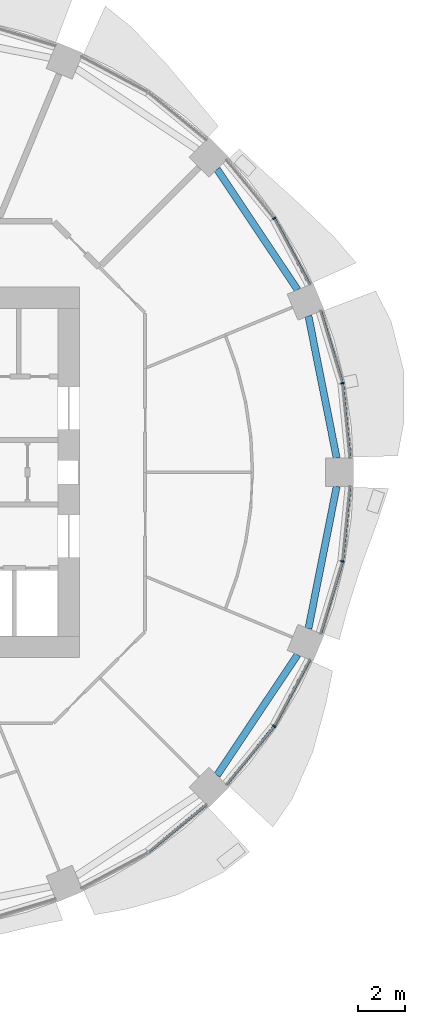
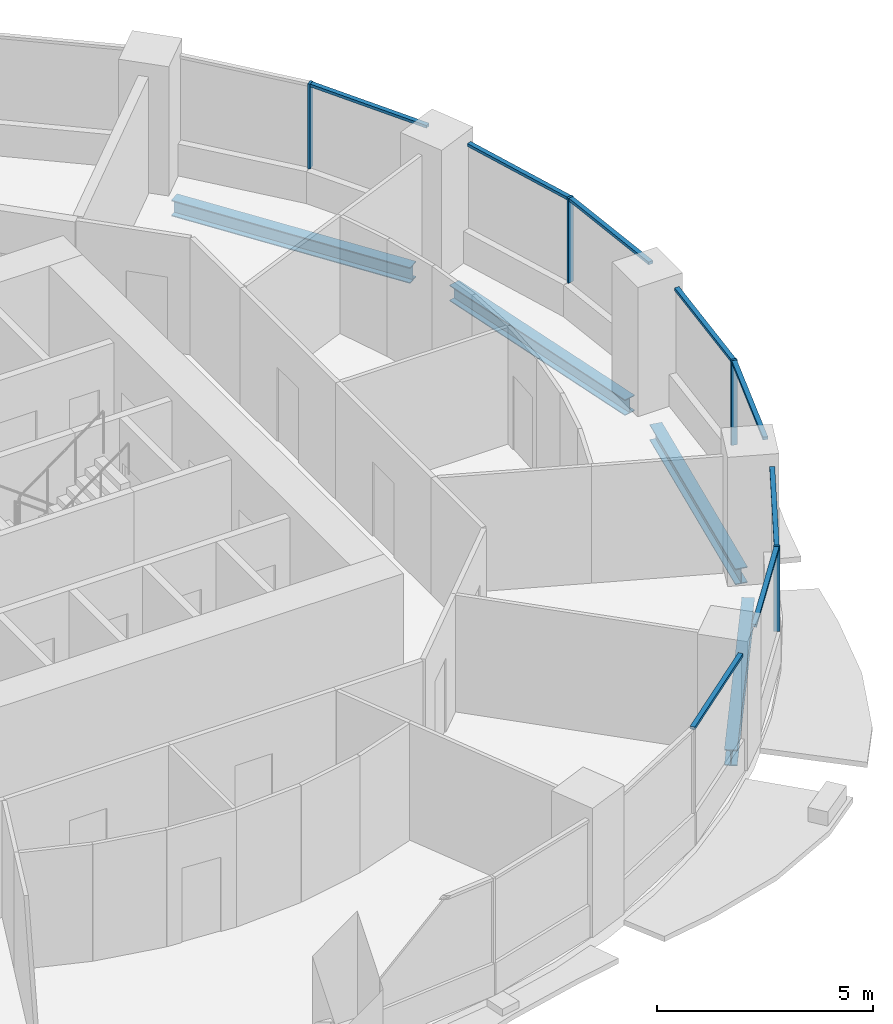
# One storey, part 5 of 15: 12 members, 4 beams, 5 elements without a shape of their own.
"""IFC4 building model written with IfcOpenShell, lengths in metres."""

from ifc_helpers import new_model, si_unit, direction, frame, origin, origin_2d, place, context, subcontext, project, spatial, rectangle, i_section, extrude, material, material_profile, profile_set, type_object, element, aggregate, save


model = new_model("IFC4")

# Units and contexts
model_context = context("Model", 3, precision=1e-05, world=origin(), true_north=direction((0.0, 1.0)))
body_context = subcontext(model_context, "Body", "Model", "MODEL_VIEW")
ifc_project = project(units=[si_unit("LENGTHUNIT", "METRE"), si_unit("AREAUNIT", "SQUARE_METRE"), si_unit("VOLUMEUNIT", "CUBIC_METRE"), si_unit("PLANEANGLEUNIT", "RADIAN"), si_unit("MASSUNIT", "GRAM", prefix="KILO")], contexts=[model_context])

# Site, building, storey
site_placement = place(None, origin())
site = spatial("IfcSite", under=ifc_project, at=site_placement, CompositionType="ELEMENT")
building_placement = place(site_placement, origin())
building = spatial("IfcBuilding", under=site, at=building_placement, Name="Polderwave Tower", CompositionType="ELEMENT")
storey_placement = place(building_placement, frame((0.0, 0.0, 62.699951171875)))
storey = spatial("IfcBuildingStorey", under=building, at=storey_placement, Name="L16", CompositionType="ELEMENT", Elevation=62.699951171875)

# Curtain wall, member
ifc_material_1 = material(Name="Aluminium 6063-T6 and glass", Category="aluminium")
curtain_wall_type = type_object("IfcCurtainWallType", Name="Growing floor ribbon glazing wall", PredefinedType="NOTDEFINED", material=ifc_material_1)
curtain_wall_1_placement = place(storey_placement, origin())
curtain_wall_1 = element("IfcCurtainWall", 1, at=curtain_wall_1_placement, inside=storey, type_object=curtain_wall_type, Name="CW2 L16 00", PredefinedType="NOTDEFINED")
ifc_material_2 = material(Name="Aluminium 6063-T6", Category="aluminium")
ifc_material_profile_1 = material_profile(ifc_material_2, rectangle(XDim=0.14990234375, YDim=0.06005859375, at=origin_2d()), Name="AL 60x150")
ifc_profile_set_1 = profile_set([ifc_material_profile_1], Name="Aluminium 6063-T6")
member_type_1 = type_object("IfcMemberType", Name="Growing floor ribbon glazing mullion 60x150", PredefinedType="MULLION", material=ifc_profile_set_1)
member_1_placement = place(storey_placement, frame((19.06591796875, 3.79296875, 0.900146484375), z_axis=(0.0, 0.0, 1.0), x_axis=(-0.980768933113, -0.195172487407, 0.0)))
member_1 = element("IfcMember", 2, at=member_1_placement, type_object=member_type_1, Name="CW2 mullion 1", PredefinedType="MULLION", context=body_context, shape_type="SweptSolid", body=[
    extrude(rectangle(XDim=0.14990234375, YDim=0.06005859375, at=origin_2d()), origin(), (0.0, 0.0, 1.0), 2.39990234375),
])

curtain_wall_2_placement = place(storey_placement, origin())
curtain_wall_2 = element("IfcCurtainWall", 3, at=curtain_wall_2_placement, inside=storey, type_object=curtain_wall_type, Name="CW2 L16 01", PredefinedType="NOTDEFINED")
member_2_placement = place(storey_placement, frame((16.1640625, 10.800048828125, 0.900146484375), z_axis=(0.0, 0.0, 1.0), x_axis=(-0.831498700752, -0.555526696611, 0.0)))
member_2 = element("IfcMember", 4, at=member_2_placement, type_object=member_type_1, Name="CW2 mullion 1", PredefinedType="MULLION", context=body_context, shape_type="SweptSolid", body=[
    extrude(rectangle(XDim=0.14990234375, YDim=0.06005859375, at=origin_2d()), origin(), (0.0, 0.0, 1.0), 2.39990234375),
])

curtain_wall_3_placement = place(storey_placement, origin())
curtain_wall_3 = element("IfcCurtainWall", 5, at=curtain_wall_3_placement, inside=storey, type_object=curtain_wall_type, Name="CW2 L16 14", PredefinedType="NOTDEFINED")
member_3_placement = place(storey_placement, frame((16.1640625, -10.800048828125, 0.900146484375), z_axis=(0.0, 0.0, 1.0), x_axis=(-0.831498700752, 0.555526696611, 0.0)))
member_3 = element("IfcMember", 6, at=member_3_placement, type_object=member_type_1, Name="CW2 mullion 1", PredefinedType="MULLION", context=body_context, shape_type="SweptSolid", body=[
    extrude(rectangle(XDim=0.14990234375, YDim=0.06005859375, at=origin_2d()), origin(), (0.0, 0.0, 1.0), 2.39990234375),
])

curtain_wall_4_placement = place(storey_placement, origin())
curtain_wall_4 = element("IfcCurtainWall", 7, at=curtain_wall_4_placement, inside=storey, type_object=curtain_wall_type, Name="CW2 L16 15", PredefinedType="NOTDEFINED")
member_4_placement = place(storey_placement, frame((19.06591796875, -3.79296875, 0.900146484375), z_axis=(0.0, 0.0, 1.0), x_axis=(-0.980768933113, 0.195172487407, 0.0)))
member_4 = element("IfcMember", 8, at=member_4_placement, type_object=member_type_1, Name="CW2 mullion 1", PredefinedType="MULLION", context=body_context, shape_type="SweptSolid", body=[
    extrude(rectangle(XDim=0.14990234375, YDim=0.06005859375, at=origin_2d()), origin(), (0.0, 0.0, 1.0), 2.39990234375),
])

# Member
ifc_material_profile_2 = material_profile(ifc_material_2, rectangle(XDim=0.1201171875, YDim=0.080078125, at=origin_2d()), Name="AL 80x120")
ifc_profile_set_2 = profile_set([ifc_material_profile_2], Name="Aluminium 6063-T6")
member_type_2 = type_object("IfcMemberType", Name="Growing floor ribbon glazing transom 80x120", PredefinedType="USERDEFINED", material=ifc_profile_set_2)
member_5_placement = place(storey_placement, frame((19.381103515625, 0.60009765625, 3.260009765625), z_axis=(-0.098241201585, 0.995162633096, 0.0), x_axis=(-0.995162633096, -0.098241201585, 0.0)))
member_5 = element("IfcMember", 9, at=member_5_placement, type_object=member_type_2, Name="CW2 transom 1", ObjectType="TRANSOM", PredefinedType="USERDEFINED", context=body_context, shape_type="SweptSolid", body=[
    extrude(rectangle(XDim=0.1201171875, YDim=0.080078125, at=origin_2d()), origin(), (0.0, 0.0, 1.0), 3.178466796875),
])

member_6_placement = place(storey_placement, frame((19.057373046875, 3.82177734375, 3.260009765625), z_axis=(-0.290314495574, 0.956931289937, 0.0), x_axis=(-0.956931289937, -0.290314495574, 0.0)))
member_6 = element("IfcMember", 10, at=member_6_placement, type_object=member_type_2, Name="CW2 transom 2", ObjectType="TRANSOM", PredefinedType="USERDEFINED", context=body_context, shape_type="SweptSolid", body=[
    extrude(rectangle(XDim=0.1201171875, YDim=0.080078125, at=origin_2d()), origin(), (0.0, 0.0, 1.0), 3.177001953125),
])

aggregate(curtain_wall_1, [member_1, member_5, member_6])

member_7_placement = place(storey_placement, frame((17.676025390625, 7.970947265625, 3.260009765625), z_axis=(-0.471417452258, 0.881910191406, 0.0), x_axis=(-0.881910191406, -0.471417452258, 0.0)))
member_7 = element("IfcMember", 11, at=member_7_placement, type_object=member_type_2, Name="CW2 transom 1", ObjectType="TRANSOM", PredefinedType="USERDEFINED", context=body_context, shape_type="SweptSolid", body=[
    extrude(rectangle(XDim=0.1201171875, YDim=0.080078125, at=origin_2d()), origin(), (0.0, 0.0, 1.0), 3.177734375),
])

aggregate(curtain_wall_2, [member_2, member_7])

# Curtain wall, member
curtain_wall_5_placement = place(storey_placement, origin())
curtain_wall_5 = element("IfcCurtainWall", 12, at=curtain_wall_5_placement, inside=storey, type_object=curtain_wall_type, Name="CW2 L16 13", PredefinedType="NOTDEFINED")
member_8_placement = place(storey_placement, frame((10.8232421875, -16.14501953125, 3.260009765625), z_axis=(0.77302893736, 0.634370760679, 0.0), x_axis=(-0.634370760679, 0.77302893736, 0.0)))
member_8 = element("IfcMember", 13, at=member_8_placement, type_object=member_type_2, Name="CW2 transom 2", ObjectType="TRANSOM", PredefinedType="USERDEFINED", context=body_context, shape_type="SweptSolid", body=[
    extrude(rectangle(XDim=0.1201171875, YDim=0.080078125, at=origin_2d()), origin(), (0.0, 0.0, 1.0), 3.17822265625),
])
aggregate(curtain_wall_5, [member_8])

# Member
member_9_placement = place(storey_placement, frame((14.12890625, -13.280029296875, 3.260009765625), z_axis=(0.634370760679, 0.77302893736, 0.0), x_axis=(-0.77302893736, 0.634370760679, 0.0)))
member_9 = element("IfcMember", 14, at=member_9_placement, type_object=member_type_2, Name="CW2 transom 1", ObjectType="TRANSOM", PredefinedType="USERDEFINED", context=body_context, shape_type="SweptSolid", body=[
    extrude(rectangle(XDim=0.1201171875, YDim=0.080078125, at=origin_2d()), origin(), (0.0, 0.0, 1.0), 3.17822265625),
])

member_10_placement = place(storey_placement, frame((16.177978515625, -10.7734375, 3.260009765625), z_axis=(0.471417452258, 0.881910191406, 0.0), x_axis=(-0.881910191406, 0.471417452258, 0.0)))
member_10 = element("IfcMember", 15, at=member_10_placement, type_object=member_type_2, Name="CW2 transom 2", ObjectType="TRANSOM", PredefinedType="USERDEFINED", context=body_context, shape_type="SweptSolid", body=[
    extrude(rectangle(XDim=0.1201171875, YDim=0.080078125, at=origin_2d()), origin(), (0.0, 0.0, 1.0), 3.177734375),
])

aggregate(curtain_wall_3, [member_3, member_9, member_10])

member_11_placement = place(storey_placement, frame((18.135009765625, -6.862060546875, 3.260009765625), z_axis=(0.290314495574, 0.956931289937, 0.0), x_axis=(-0.956931289937, 0.290314495574, 0.0)))
member_11 = element("IfcMember", 16, at=member_11_placement, type_object=member_type_2, Name="CW2 transom 1", ObjectType="TRANSOM", PredefinedType="USERDEFINED", context=body_context, shape_type="SweptSolid", body=[
    extrude(rectangle(XDim=0.1201171875, YDim=0.080078125, at=origin_2d()), origin(), (0.0, 0.0, 1.0), 3.177001953125),
])

member_12_placement = place(storey_placement, frame((19.06884765625, -3.76318359375, 3.260009765625), z_axis=(0.098241201585, 0.995162633096, 0.0), x_axis=(-0.995162633096, 0.098241201585, 0.0)))
member_12 = element("IfcMember", 17, at=member_12_placement, type_object=member_type_2, Name="CW2 transom 2", ObjectType="TRANSOM", PredefinedType="USERDEFINED", context=body_context, shape_type="SweptSolid", body=[
    extrude(rectangle(XDim=0.1201171875, YDim=0.080078125, at=origin_2d()), origin(), (0.0, 0.0, 1.0), 3.178466796875),
])

aggregate(curtain_wall_4, [member_4, member_11, member_12])

# Beams
ifc_material_3 = material(Name="Steel S355", Category="steel")
ifc_material_profile_3 = material_profile(ifc_material_3, i_section(OverallWidth=0.300048828125, OverallDepth=0.449951171875, WebThickness=0.013916015625, FlangeThickness=0.02587890625, at=origin_2d()), Name="HE 450 B")
ifc_profile_set_3 = profile_set([ifc_material_profile_3], Name="Steel S355")
beam_type = type_object("IfcBeamType", Name="RING BEAM HE 450 B", PredefinedType="BEAM", material=ifc_profile_set_3)
beam_1_placement = place(storey_placement, frame((18.820556640625, 0.60009765625, -0.574951171875), z_axis=(-0.195072910533, 0.980788743602, 0.0), x_axis=(-0.980788743602, -0.195072910533, 0.0)))
element("IfcBeam", 18, at=beam_1_placement, inside=storey, type_object=beam_type, Name="ST-RB-L16-00", PredefinedType="BEAM", context=body_context, shape_type="SweptSolid", body=[
    extrude(i_section(OverallWidth=0.300048828125, OverallDepth=0.449951171875, WebThickness=0.013916015625, FlangeThickness=0.02587890625, at=origin_2d()), origin(), (0.0, 0.0, 1.0), 6.166259765625),
])
for number, where, z_axis, x_axis, name in (
    (19, (17.158447265625, 7.756591796875, -0.574951171875), (-0.555567831177, 0.831471217158, 0.0), (-0.831471217158, -0.555567831177, 0.0), "ST-RB-L16-01"),
    (20, (13.732421875, -12.884033203125, -0.574951171875), (0.555567831177, 0.831471217158, 0.0), (-0.831471217158, 0.555567831177, 0.0), "ST-RB-L16-14"),
):
    element("IfcBeam", number, at=place(storey_placement, frame(where, z_axis=z_axis, x_axis=x_axis)), inside=storey, type_object=beam_type, Name=name, PredefinedType="BEAM", context=body_context, shape_type="SweptSolid", body=[
        extrude(i_section(OverallWidth=0.300048828125, OverallDepth=0.449951171875, WebThickness=0.013916015625, FlangeThickness=0.02587890625, at=origin_2d()), origin(), (0.0, 0.0, 1.0), 6.166748046875),
    ])
beam_2_placement = place(storey_placement, frame((17.61767578125, -6.64794921875, -0.574951171875), z_axis=(0.195072910533, 0.980788743602, 0.0), x_axis=(-0.980788743602, 0.195072910533, 0.0)))
element("IfcBeam", 21, at=beam_2_placement, inside=storey, type_object=beam_type, Name="ST-RB-L16-15", PredefinedType="BEAM", context=body_context, shape_type="SweptSolid", body=[
    extrude(i_section(OverallWidth=0.300048828125, OverallDepth=0.449951171875, WebThickness=0.013916015625, FlangeThickness=0.02587890625, at=origin_2d()), origin(), (0.0, 0.0, 1.0), 6.166259765625),
])

save(model, "model.ifc")
